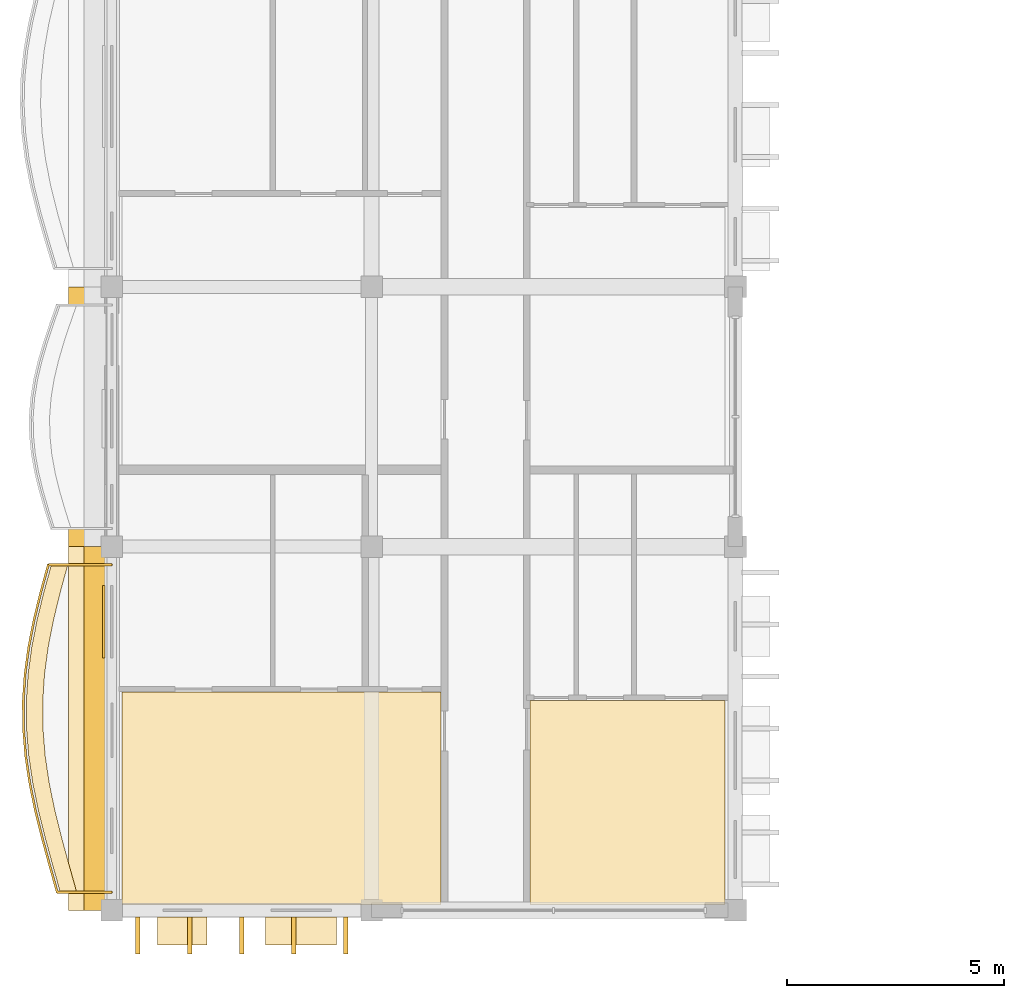
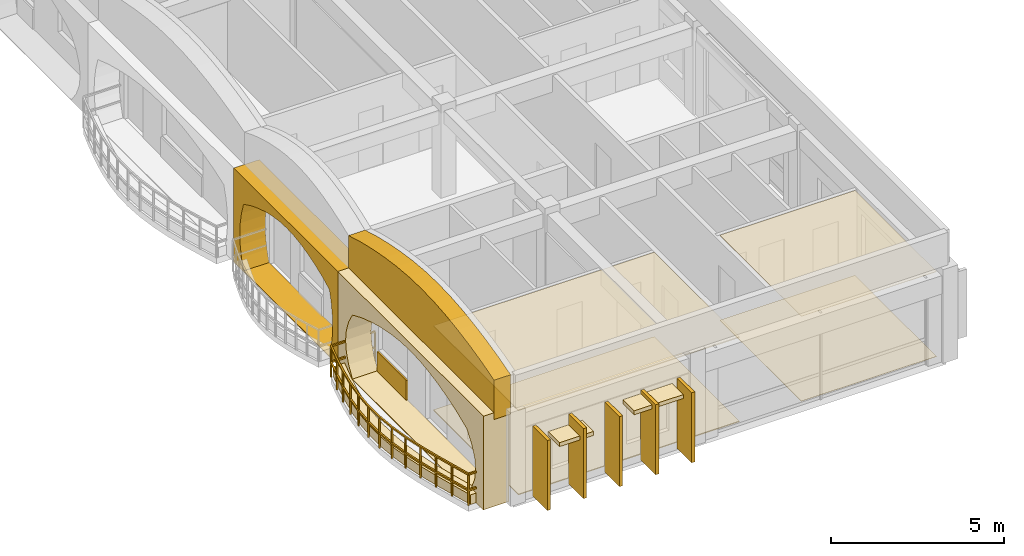
# One storey, part 9 of 12: 16 coverings, 1 railing.
"""IFC4 building model written with IfcOpenShell, lengths in metres."""

import ifcopenshell
import ifcopenshell.guid

model = None  # the IFC model being written
_history = None  # IfcOwnerHistory: only IFC2X3 demands one
_inside = {}  # id of a spatial element -> (the spatial element, [elements in it])
_under = {}  # id of a project, library or spatial element -> (it, [spatial elements below it])
_declared = {}  # id of a project -> (the project, [libraries it declares])
_typed = {}  # id of a type object -> (the type object, [elements of that type])
_made_of = {}  # id of a material, layer set ... -> (it, [elements and type objects made of it])


def new_model(schema):
    """Start an empty IFC model of exactly this schema.

    Asked for "IFC4X3", IfcOpenShell would pick the latest addendum, in which some entities
    have other attributes; the version numbers below select the first issue.
    IFC2X3 requires an IfcOwnerHistory on every rooted entity: one is made here for all.
    """
    global model, _history
    if schema == "IFC4X3":
        model = ifcopenshell.file(schema_version=(4, 3, 0, 0))
    else:
        model = ifcopenshell.file(schema=schema)
    _inside.clear()
    _under.clear()
    _declared.clear()
    _typed.clear()
    _made_of.clear()
    _history = None
    if model.schema == "IFC2X3":
        org = make("IfcOrganization", Name="unknown")
        user = make(
            "IfcPersonAndOrganization",
            ThePerson=make("IfcPerson", FamilyName="unknown"),
            TheOrganization=org,
        )
        app = make(
            "IfcApplication",
            ApplicationDeveloper=org,
            Version="unknown",
            ApplicationFullName="unknown",
            ApplicationIdentifier="unknown",
        )
        _history = make(
            "IfcOwnerHistory",
            OwningUser=user,
            OwningApplication=app,
            ChangeAction="ADDED",
            CreationDate=0,
        )
    return model


def make(cls, **values):
    """One entity of the class cls with the attributes given. An attribute that is None is left unset."""
    return model.create_entity(
        cls, **{name: value for name, value in values.items() if value is not None}
    )


def rooted(cls, **values):
    """An entity with a GlobalId (a new one), such as an element, a storey or a relation."""
    return make(cls, GlobalId=ifcopenshell.guid.new(), OwnerHistory=_history, **values)


def si_unit(unit_type, name, prefix=None):
    """IfcSIUnit, for example si_unit("LENGTHUNIT", "METRE", prefix="MILLI")."""
    return make("IfcSIUnit", UnitType=unit_type, Prefix=prefix, Name=name)


def assignment(units):
    """IfcUnitAssignment: the units of a project."""
    return None if units is None else make("IfcUnitAssignment", Units=units)


def point(xyz):
    """IfcCartesianPoint."""
    return None if xyz is None else make("IfcCartesianPoint", Coordinates=xyz)


def direction(xyz):
    """IfcDirection."""
    return None if xyz is None else make("IfcDirection", DirectionRatios=xyz)


def frame(location, z_axis=None, x_axis=None):
    """IfcAxis2Placement3D, a coordinate frame: its origin and axes. An axis left out is left unset."""
    return make(
        "IfcAxis2Placement3D",
        Location=point(location),
        Axis=direction(z_axis),
        RefDirection=direction(x_axis),
    )


def frame_2d(location, x_axis=None):
    """IfcAxis2Placement2D, a coordinate frame in the plane: its origin and x axis."""
    return make(
        "IfcAxis2Placement2D", Location=point(location), RefDirection=direction(x_axis)
    )


def origin():
    """The frame at (0, 0, 0) with its axes left unset."""
    return frame((0.0, 0.0, 0.0))


def origin_2d():
    """The frame at (0, 0) in the plane with its x axis left unset."""
    return frame_2d((0.0, 0.0))


def place(relative_to, where):
    """IfcLocalPlacement: puts the frame where relative to a parent placement (None: the world)."""
    return make(
        "IfcLocalPlacement", PlacementRelTo=relative_to, RelativePlacement=where
    )


def context(
    kind, dimensions, precision=None, world=None, true_north=None, identifier=None
):
    """IfcGeometricRepresentationContext, for example the 3D "Model" context."""
    return make(
        "IfcGeometricRepresentationContext",
        ContextIdentifier=identifier,
        ContextType=kind,
        CoordinateSpaceDimension=dimensions,
        Precision=precision,
        WorldCoordinateSystem=world,
        TrueNorth=true_north,
    )


def subcontext(parent, identifier, kind, view, scale=None):
    """IfcGeometricRepresentationSubContext, for example "Body" below "Model"."""
    return make(
        "IfcGeometricRepresentationSubContext",
        ContextIdentifier=identifier,
        ContextType=kind,
        ParentContext=parent,
        TargetScale=scale,
        TargetView=view,
    )


def project(units=None, contexts=None):
    """IfcProject with its units and contexts."""
    return rooted(
        "IfcProject",
        Name="project",
        RepresentationContexts=contexts,
        UnitsInContext=assignment(units),
    )


def spatial(cls, under=None, at=None, **own):
    """A site, building, storey or space (cls), placed at a placement, below another one or the project."""
    s = rooted(cls, ObjectPlacement=at, **own)
    if under is not None:
        _under.setdefault(under.id(), (under, []))[1].append(s)
    return s


def polyline(points):
    """IfcPolyline through the points."""
    return make("IfcPolyline", Points=[point(p) for p in points])


def profile(cls, at=None, kind="AREA", **sizes):
    """A parametric profile (cls). Its sizes go by their IFC names, for example OverallWidth=200.0."""
    return make(cls, ProfileType=kind, Position=at, **sizes)


def rectangle(**sizes):
    """IfcRectangleProfileDef."""
    return profile("IfcRectangleProfileDef", **sizes)


def outline(outer, holes=None, kind="AREA"):
    """IfcArbitraryClosedProfileDef: a profile drawn as a closed curve; with holes, ...WithVoids."""
    if holes is None:
        return make("IfcArbitraryClosedProfileDef", ProfileType=kind, OuterCurve=outer)
    return make(
        "IfcArbitraryProfileDefWithVoids",
        ProfileType=kind,
        OuterCurve=outer,
        InnerCurves=holes,
    )


def extrude(swept, where, along, depth):
    """IfcExtrudedAreaSolid: the profile swept, set in the frame where, extruded along a direction by depth."""
    return make(
        "IfcExtrudedAreaSolid",
        SweptArea=swept,
        Position=where,
        ExtrudedDirection=direction(along),
        Depth=depth,
    )


def shape(context_of_items, identifier, shape_type, items):
    """IfcShapeRepresentation: the items that make up one representation, for example the "Body"."""
    return make(
        "IfcShapeRepresentation",
        ContextOfItems=context_of_items,
        RepresentationIdentifier=identifier,
        RepresentationType=shape_type,
        Items=items,
    )


def material(Name=None, Category=None):
    """IfcMaterial."""
    return make("IfcMaterial", Name=Name, Category=Category)


def layer(
    of_material, thickness, ventilated=None, Name=None, Category=None, Priority=None
):
    """IfcMaterialLayer: one layer of a wall or slab, of a material (None: an air gap)."""
    return make(
        "IfcMaterialLayer",
        Material=of_material,
        LayerThickness=thickness,
        IsVentilated=ventilated,
        Name=Name,
        Category=Category,
        Priority=Priority,
    )


def layer_set(layers, Name=None):
    """IfcMaterialLayerSet."""
    return make("IfcMaterialLayerSet", MaterialLayers=layers, LayerSetName=Name)


def made_of(thing, what):
    """Note that an element or type object is made of a material, layer set ...; save() writes the relation."""
    if what is not None:
        _made_of.setdefault(what.id(), (what, []))[1].append(thing)
    return thing


def type_object(cls, material=None, **own):
    """A type object (cls), such as IfcWallType, which elements share."""
    return made_of(rooted(cls, **own), material)


def element(
    cls,
    number,
    at=None,
    inside=None,
    cuts=None,
    type_object=None,
    material=None,
    context=None,
    identifier="Body",
    shape_type=None,
    held_by="IfcProductDefinitionShape",
    body=None,
    shapes=None,
    **own,
):
    """One element of the class cls, such as IfcWall. Its Tag is "e" and its number.

    at: its placement. inside: the storey or other place that contains it. cuts: it is an
    opening in that element (IfcRelVoidsElement). A single representation is given by context,
    identifier, shape_type and body (its items); several are given by shapes. held_by: the class
    of the entity that holds the representations. save() writes the other relations.
    """
    e = rooted(cls, Tag="e%d" % number, ObjectPlacement=at, **own)
    if body is not None:
        shapes = [shape(context, identifier, shape_type, body)]
    if shapes is not None:
        e.Representation = make(held_by, Representations=shapes)
    if inside is not None:
        _inside.setdefault(inside.id(), (inside, []))[1].append(e)
    if cuts is not None:
        rooted(
            "IfcRelVoidsElement", RelatingBuildingElement=cuts, RelatedOpeningElement=e
        )
    if type_object is not None:
        _typed.setdefault(type_object.id(), (type_object, []))[1].append(e)
    return made_of(e, material)


def aggregate(whole, parts):
    """IfcRelAggregates: a whole, such as a stair, and the parts it consists of."""
    return rooted("IfcRelAggregates", RelatingObject=whole, RelatedObjects=parts)


def save(model, path):
    """Write the relations noted so far, then the file.

    IfcRelAggregates (storeys below a building ...), IfcRelContainedInSpatialStructure (elements
    in a storey), IfcRelDefinesByType, IfcRelAssociatesMaterial and IfcRelDeclares: one each for
    every whole, place, type object, material and project.
    """
    for whole, parts in _under.values():
        aggregate(whole, parts)
    for where, things in _inside.values():
        rooted(
            "IfcRelContainedInSpatialStructure",
            RelatedElements=things,
            RelatingStructure=where,
        )
    for kind, things in _typed.values():
        rooted("IfcRelDefinesByType", RelatedObjects=things, RelatingType=kind)
    for what, things in _made_of.values():
        rooted("IfcRelAssociatesMaterial", RelatedObjects=things, RelatingMaterial=what)
    for by, libraries in _declared.values():
        rooted("IfcRelDeclares", RelatingContext=by, RelatedDefinitions=libraries)
    model.write(path)


model = new_model("IFC4")

# Units and contexts
model_context = context("Model", 3, precision=1e-05, world=origin(), true_north=direction((0.0, 1.0)))
body_context = subcontext(model_context, "Body", "Model", "MODEL_VIEW")
ifc_project = project(units=[si_unit("LENGTHUNIT", "METRE"), si_unit("AREAUNIT", "SQUARE_METRE"), si_unit("VOLUMEUNIT", "CUBIC_METRE"), si_unit("PLANEANGLEUNIT", "RADIAN"), si_unit("MASSUNIT", "GRAM", prefix="KILO"), si_unit("THERMODYNAMICTEMPERATUREUNIT", "KELVIN")], contexts=[model_context])

# Site, building, storey
site_placement = place(None, origin())
site = spatial("IfcSite", under=ifc_project, at=site_placement, CompositionType="ELEMENT")
building_placement = place(site_placement, origin())
building = spatial("IfcBuilding", under=site, at=building_placement, Name="Thalorik Housing Commons", CompositionType="ELEMENT")
storey_placement = place(building_placement, frame((0.0, 0.0, 51.0)))
storey = spatial("IfcBuildingStorey", under=building, at=storey_placement, Name="L15", CompositionType="ELEMENT", Elevation=51.0)

# Coverings
ifc_material_1 = material(Name="Precast concrete C40/50", Category="concrete")
ifc_layer_1 = layer(ifc_material_1, 0.85009765625, Name="Precast concrete C40/50", Category="concrete")
ifc_layer_set_1 = layer_set([ifc_layer_1], Name="Precast concrete C40/50")
covering_type_1 = type_object("IfcCoveringType", Name="ARC-CLD-CUSH-850", PredefinedType="CLADDING", material=ifc_layer_set_1)
covering_1_placement = place(storey_placement, frame((7.822509765625, 97.800048828125, 0.0), z_axis=(0.0, 0.0, 1.0), x_axis=(0.0, -1.0, 0.0)))
element("IfcCovering", 1, at=covering_1_placement, inside=storey, type_object=covering_type_1, Name="L15 White Precast Curved Cushion Bay Frame 1434", PredefinedType="CLADDING", context=body_context, shape_type="SweptSolid", body=[
    extrude(outline(polyline([(-3.0, 0.0), (3.0, 0.0), (3.0, 3.300048828125), (-3.0, 3.300048828125), (-3.0, 0.0)]), holes=[polyline([(2.52001953125, 0.02490234375), (2.621337890625, 0.415771484375), (2.68212890625, 0.806640625), (2.702392578125, 1.197509765625), (2.68212890625, 1.58837890625), (2.621337890625, 1.979248046875), (2.52001953125, 2.3701171875), (2.107421875, 2.573974609375), (1.695068359375, 2.734130859375), (1.282470703125, 2.864013671875), (0.8701171875, 2.960205078125), (0.45751953125, 3.02001953125), (0.044921875, 3.0400390625), (-0.367431640625, 3.02001953125), (-0.780029296875, 2.960205078125), (-1.1923828125, 2.864013671875), (-1.60498046875, 2.734130859375), (-2.017578125, 2.573974609375), (-2.429931640625, 2.3701171875), (-2.55029296875, 1.979248046875), (-2.62255859375, 1.58837890625), (-2.646484375, 1.197509765625), (-2.62255859375, 0.806640625), (-2.55029296875, 0.415771484375), (-2.429931640625, 0.02490234375), (2.52001953125, 0.02490234375)])]), frame((0.0, 0.425048828125, 0.0), z_axis=(0.0, -1.0, 0.0), x_axis=(1.0, 0.0, 0.0)), (0.0, 0.0, 1.0), 0.85009765625),
])
covering_2_placement = place(storey_placement, frame((7.822509765625, 90.60009765625, 0.0), z_axis=(0.0, 0.0, 1.0), x_axis=(0.0, -1.0, 0.0)))
element("IfcCovering", 2, at=covering_2_placement, inside=storey, type_object=covering_type_1, Name="L15 White Precast Curved Cushion Bay Frame 1436", PredefinedType="CLADDING", context=body_context, shape_type="SweptSolid", body=[
    extrude(outline(polyline([(-4.199951171875, 0.0), (4.199951171875, 0.0), (4.199951171875, 3.300048828125), (-4.199951171875, 3.300048828125), (-4.199951171875, 0.0)]), holes=[polyline([(3.239990234375, 0.02490234375), (3.523193359375, 0.40087890625), (3.693359375, 0.776611328125), (3.75, 1.152587890625), (3.693359375, 1.5283203125), (3.523193359375, 1.904296875), (3.239990234375, 2.280029296875), (2.690673828125, 2.51123046875), (2.141357421875, 2.693115234375), (1.591796875, 2.840087890625), (1.04248046875, 2.94970703125), (0.4931640625, 3.01708984375), (-0.05615234375, 3.0400390625), (-0.605712890625, 3.01708984375), (-1.155029296875, 2.94970703125), (-1.704345703125, 2.840087890625), (-2.25390625, 2.693115234375), (-2.802978515625, 2.51123046875), (-3.3525390625, 2.280029296875), (-3.5732421875, 1.904296875), (-3.705810546875, 1.5283203125), (-3.75, 1.152587890625), (-3.705810546875, 0.776611328125), (-3.5732421875, 0.40087890625), (-3.3525390625, 0.02490234375), (3.239990234375, 0.02490234375)])]), frame((0.0, 0.425048828125, 0.0), z_axis=(0.0, -1.0, 0.0), x_axis=(1.0, 0.0, 0.0)), (0.0, 0.0, 1.0), 0.85009765625),
])
ifc_layer_2 = layer(ifc_material_1, 0.85009765625, Name="Precast concrete C40/50", Category="concrete")
ifc_layer_set_2 = layer_set([ifc_layer_2], Name="Precast concrete C40/50")
covering_type_2 = type_object("IfcCoveringType", Name="ARC-CLD-FIN-850", PredefinedType="CLADDING", material=ifc_layer_set_2)
for number, where, z_axis, x_axis, name in (
    (3, (9.0, 85.822509765625, 0.0400390625), (0.0, 0.0, 1.0), (1.0, 0.0, 0.0), "L15 Courtyard Precast Vertical Brise-Soleil Fin 1438"),
    (4, (10.199951171875, 85.822509765625, 0.0400390625), (0.0, 0.0, 1.0), (1.0, 0.0, 0.0), "L15 Courtyard Precast Vertical Brise-Soleil Fin 1439"),
    (5, (11.39990234375, 85.822509765625, 0.0400390625), (0.0, 0.0, 1.0), (1.0, 0.0, 0.0), "L15 Courtyard Precast Vertical Brise-Soleil Fin 1440"),
    (6, (12.60009765625, 85.822509765625, 0.0400390625), (0.0, 0.0, 1.0), (1.0, 0.0, 0.0), "L15 Courtyard Precast Vertical Brise-Soleil Fin 1441"),
    (7, (13.800048828125, 85.822509765625, 0.0400390625), (0.0, 0.0, 1.0), (1.0, 0.0, 0.0), "L15 Courtyard Precast Vertical Brise-Soleil Fin 1442"),
):
    element("IfcCovering", number, at=place(storey_placement, frame(where, z_axis=z_axis, x_axis=x_axis)), inside=storey, type_object=covering_type_2, Name=name, PredefinedType="CLADDING", context=body_context, shape_type="SweptSolid", body=[
        extrude(rectangle(XDim=0.110107421875, YDim=0.85009765625, at=origin_2d()), origin(), (0.0, 0.0, 1.0), 2.465087890625),
    ])
ifc_layer_3 = layer(ifc_material_1, 0.64990234375, Name="Precast concrete C40/50", Category="concrete")
ifc_layer_set_3 = layer_set([ifc_layer_3], Name="Precast concrete C40/50")
covering_type_3 = type_object("IfcCoveringType", Name="ARC-CLD-HOOD-650", PredefinedType="CLADDING", material=ifc_layer_set_3)
covering_3_placement = place(storey_placement, frame((10.030029296875, 85.922607421875, 1.990234375), z_axis=(0.0, 0.0, 1.0), x_axis=(1.0, 0.0, 0.0)))
element("IfcCovering", 8, at=covering_3_placement, inside=storey, type_object=covering_type_3, Name="L15 Courtyard Precast Window Sun-Hood 1443", PredefinedType="CLADDING", context=body_context, shape_type="SweptSolid", body=[
    extrude(rectangle(XDim=1.139892578125, YDim=0.64990234375, at=origin_2d()), origin(), (0.0, 0.0, 1.0), 0.139892578125),
])
covering_4_placement = place(storey_placement, frame((12.77001953125, 85.922607421875, 2.240234375), z_axis=(0.0, 0.0, 1.0), x_axis=(1.0, 0.0, 0.0)))
element("IfcCovering", 9, at=covering_4_placement, inside=storey, type_object=covering_type_3, Name="L15 Courtyard Precast Window Sun-Hood 1444", PredefinedType="CLADDING", context=body_context, shape_type="SweptSolid", body=[
    extrude(rectangle(XDim=1.639892578125, YDim=0.64990234375, at=origin_2d()), origin(), (0.0, 0.0, 1.0), 0.139892578125),
])
ifc_layer_4 = layer(ifc_material_1, 0.550048828125, Name="Precast concrete C40/50", Category="concrete")
ifc_layer_set_4 = layer_set([ifc_layer_4], Name="Precast concrete C40/50")
covering_type_4 = type_object("IfcCoveringType", Name="ARC-CLD-PAR-550", PredefinedType="CLADDING", material=ifc_layer_set_4)
covering_5_placement = place(storey_placement, frame((8.027587890625, 90.60009765625, 3.06005859375), z_axis=(0.0, 0.0, 1.0), x_axis=(0.0, -1.0, 0.0)))
element("IfcCovering", 10, at=covering_5_placement, inside=storey, type_object=covering_type_4, Name="L15 Block A Scalloped White Precast Parapet Crest 1473", PredefinedType="CLADDING", context=body_context, shape_type="SweptSolid", body=[
    extrude(outline(polyline([(-4.199951171875, 0.0), (4.199951171875, 0.0), (4.199951171875, 1.3798828125), (3.5, 1.58154296875), (2.800048828125, 1.744384765625), (2.10009765625, 1.877685546875), (1.39990234375, 1.977294921875), (0.699951171875, 2.0390625), (0.0, 2.06005859375), (-0.699951171875, 2.0390625), (-1.39990234375, 1.977294921875), (-2.10009765625, 1.877685546875), (-2.800048828125, 1.744384765625), (-3.5, 1.58154296875), (-4.199951171875, 1.3798828125), (-4.199951171875, 0.0)])), frame((0.0, 0.27490234375, 0.0), z_axis=(0.0, -1.0, 0.0), x_axis=(1.0, 0.0, 0.0)), (0.0, 0.0, 1.0), 0.550048828125),
])
ifc_material_2 = material(Name="Terracotta red mineral fibre-cement panel", Category="masonry")
ifc_layer_5 = layer(ifc_material_2, 0.054931640625, Name="Terracotta red mineral fibre-cement panel", Category="masonry")
ifc_layer_set_5 = layer_set([ifc_layer_5], Name="Terracotta red mineral fibre-cement panel")
covering_type_5 = type_object("IfcCoveringType", Name="ARC-CLD-RED-55", PredefinedType="CLADDING", material=ifc_layer_set_5)
covering_6_placement = place(storey_placement, frame((8.215087890625, 93.0625, 0.0498046875), z_axis=(0.0, 0.0, 1.0), x_axis=(0.0, -1.0, 0.0)))
element("IfcCovering", 11, at=covering_6_placement, inside=storey, type_object=covering_type_5, Name="L15 De Stijl Recessed Window Spandrel 1437", PredefinedType="CLADDING", context=body_context, shape_type="SweptSolid", body=[
    extrude(rectangle(XDim=1.679931640625, YDim=0.054931640625, at=origin_2d()), origin(), (0.0, 0.0, 1.0), 0.699951171875),
])
ifc_material_3 = material(Name="Perforated acoustic gypsum ceiling board")
ifc_layer_6 = layer(ifc_material_3, 0.014892578125, Name="Perforated acoustic gypsum ceiling board")
ifc_layer_set_6 = layer_set([ifc_layer_6], Name="Perforated acoustic gypsum ceiling board")
covering_type_6 = type_object("IfcCoveringType", Name="ARC-COV-CEIL-01", PredefinedType="CEILING", material=ifc_layer_set_6)
covering_7_placement = place(storey_placement, frame((0.0, 0.0, 2.985107421875)))
element("IfcCovering", 12, at=covering_7_placement, inside=storey, type_object=covering_type_6, Name="L15 Family Lounge Suspended Ceiling", PredefinedType="CEILING", context=body_context, shape_type="SweptSolid", body=[
    extrude(outline(polyline([(22.56005859375, 91.242919921875), (18.06005859375, 91.242919921875), (18.06005859375, 86.5400390625), (22.56005859375, 86.5400390625), (22.56005859375, 91.242919921875)])), origin(), (0.0, 0.0, 1.0), 0.014892578125),
])
ifc_material_4 = material(Name="Acoustic wood-wool nursery ceiling panel", Category="wood")
ifc_layer_7 = layer(ifc_material_4, 0.035888671875, Name="Acoustic wood-wool nursery ceiling panel", Category="wood")
ifc_layer_set_7 = layer_set([ifc_layer_7], Name="Acoustic wood-wool nursery ceiling panel")
covering_type_7 = type_object("IfcCoveringType", Name="ARC-COV-CEIL-06", PredefinedType="CEILING", material=ifc_layer_set_7)
covering_8_placement = place(storey_placement, frame((0.0, 0.0, 2.964111328125)))
element("IfcCovering", 13, at=covering_8_placement, inside=storey, type_object=covering_type_7, Name="L15 Living Dining Room Suspended Ceiling", PredefinedType="CEILING", context=body_context, shape_type="SweptSolid", body=[
    extrude(outline(polyline([(16.0, 91.445068359375), (8.639892578125, 91.445068359375), (8.639892578125, 86.5400390625), (16.0, 86.5400390625), (16.0, 91.445068359375)])), origin(), (0.0, 0.0, 1.0), 0.035888671875),
])
ifc_material_5 = material(Name="Glazed Recife ceramic apartment floor tile")
ifc_layer_8 = layer(ifc_material_5, 0.011962890625, Name="Glazed Recife ceramic apartment floor tile")
ifc_layer_set_8 = layer_set([ifc_layer_8], Name="Glazed Recife ceramic apartment floor tile")
covering_type_8 = type_object("IfcCoveringType", Name="ARC-COV-FLR-01", PredefinedType="FLOORING", material=ifc_layer_set_8)
covering_9_placement = place(storey_placement, origin())
element("IfcCovering", 14, at=covering_9_placement, inside=storey, type_object=covering_type_8, Name="L15 Family Lounge Flooring", PredefinedType="FLOORING", context=body_context, shape_type="SweptSolid", body=[
    extrude(outline(polyline([(22.56005859375, 91.242919921875), (18.06005859375, 91.242919921875), (18.06005859375, 86.5400390625), (22.56005859375, 86.5400390625), (22.56005859375, 91.242919921875)])), origin(), (0.0, 0.0, 1.0), 0.011962890625),
])
ifc_material_6 = material(Name="Epoxy-sealed concrete plant and bicycle hub finish", Category="concrete")
ifc_layer_9 = layer(ifc_material_6, 0.031982421875, Name="Epoxy-sealed concrete plant and bicycle hub finish", Category="concrete")
ifc_layer_set_9 = layer_set([ifc_layer_9], Name="Epoxy-sealed concrete plant and bicycle hub finish")
covering_type_9 = type_object("IfcCoveringType", Name="ARC-COV-FLR-06", PredefinedType="FLOORING", material=ifc_layer_set_9)
covering_10_placement = place(storey_placement, origin())
element("IfcCovering", 15, at=covering_10_placement, inside=storey, type_object=covering_type_9, Name="L15 Living Dining Room Flooring", PredefinedType="FLOORING", context=body_context, shape_type="SweptSolid", body=[
    extrude(outline(polyline([(16.0, 91.445068359375), (8.639892578125, 91.445068359375), (8.639892578125, 86.5400390625), (16.0, 86.5400390625), (16.0, 91.445068359375)])), origin(), (0.0, 0.0, 1.0), 0.031982421875),
])
ifc_material_7 = material(Name="Planted vegetated substrate and terracotta trough", Category="masonry")
ifc_layer_10 = layer(ifc_material_7, 0.340087890625, Name="Planted vegetated substrate and terracotta trough", Category="masonry")
ifc_layer_set_10 = layer_set([ifc_layer_10], Name="Planted vegetated substrate and terracotta trough")
covering_type_10 = type_object("IfcCoveringType", Name="ARC-COV-PLANTER", PredefinedType="USERDEFINED", material=ifc_layer_set_10)
covering_11_placement = place(storey_placement, origin())
element("IfcCovering", 16, at=covering_11_placement, inside=storey, type_object=covering_type_10, Name="L15 Balcony Slab-Edge Planted Trough 5414", ObjectType="PLANTER", PredefinedType="USERDEFINED", context=body_context, shape_type="SweptSolid", body=[
    extrude(outline(polyline([(7.0029296875, 94.3798828125), (6.829833984375, 93.75), (6.67626953125, 93.1201171875), (6.55224609375, 92.489990234375), (6.46630859375, 91.860107421875), (6.424560546875, 91.22998046875), (6.429443359375, 90.60009765625), (6.480712890625, 89.969970703125), (6.57421875, 89.340087890625), (6.70361328125, 88.7099609375), (6.85986328125, 88.080078125), (7.031982421875, 87.449951171875), (7.20849609375, 86.820068359375), (7.58837890625, 86.820068359375), (7.412109375, 87.449951171875), (7.23974609375, 88.080078125), (7.08349609375, 88.7099609375), (6.9541015625, 89.340087890625), (6.860595703125, 89.969970703125), (6.8095703125, 90.60009765625), (6.8046875, 91.22998046875), (6.846435546875, 91.860107421875), (6.93212890625, 92.489990234375), (7.05615234375, 93.1201171875), (7.2099609375, 93.75), (7.3828125, 94.3798828125), (7.0029296875, 94.3798828125)])), origin(), (0.0, 0.0, 1.0), 0.340087890625),
])

# Railing
ifc_material_8 = material(Name="Steel S355", Category="steel")
railing_type = type_object("IfcRailingType", Name="ARC-RL-BAL-112", PredefinedType="BALUSTRADE", material=ifc_material_8)
railing_placement = place(storey_placement, frame((8.39990234375, 94.3798828125, 0.0)))
element("IfcRailing", 17, at=railing_placement, inside=storey, type_object=railing_type, Name="L15 Cushion Balcony Guardrail 98", PredefinedType="BALUSTRADE", context=body_context, shape_type="SweptSolid", body=[
    extrude(rectangle(XDim=0.050048828125, YDim=0.050048828125, at=origin_2d()), frame((0.0, 0.0, 1.09521484375), z_axis=(-1.0, 0.0, 0.0), x_axis=(0.0, -1.0, 0.0)), (0.0, 0.0, 1.0), 1.467041015625),
    extrude(rectangle(XDim=0.050048828125, YDim=0.050048828125, at=origin_2d()), frame((0.0, 0.0, 0.53515625), z_axis=(-1.0, 0.0, 0.0), x_axis=(0.0, -1.0, 0.0)), (0.0, 0.0, 1.0), 1.467041015625),
    extrude(rectangle(XDim=0.050048828125, YDim=0.050048828125, at=origin_2d()), frame((-1.467041015625, 0.0, 1.09521484375), z_axis=(-0.264635195896, -0.964348595215, 0.0), x_axis=(0.964348595215, -0.264635195896, 0.0)), (0.0, 0.0, 1.0), 0.653076171875),
    extrude(rectangle(XDim=0.050048828125, YDim=0.050048828125, at=origin_2d()), frame((-1.467041015625, 0.0, 0.53515625), z_axis=(-0.264635195896, -0.964348595215, 0.0), x_axis=(0.964348595215, -0.264635195896, 0.0)), (0.0, 0.0, 1.0), 0.653076171875),
    extrude(rectangle(XDim=0.050048828125, YDim=0.050048828125, at=origin_2d()), frame((-1.639892578125, -0.6298828125, 1.09521484375), z_axis=(-0.237216214611, -0.971456878881, 0.0), x_axis=(0.971456878881, -0.237216214611, 0.0)), (0.0, 0.0, 1.0), 0.6484375),
    extrude(rectangle(XDim=0.050048828125, YDim=0.050048828125, at=origin_2d()), frame((-1.639892578125, -0.6298828125, 0.53515625), z_axis=(-0.237216214611, -0.971456878881, 0.0), x_axis=(0.971456878881, -0.237216214611, 0.0)), (0.0, 0.0, 1.0), 0.6484375),
    extrude(rectangle(XDim=0.050048828125, YDim=0.050048828125, at=origin_2d()), frame((-1.793701171875, -1.259765625, 1.09521484375), z_axis=(-0.193117856674, -0.981175567079, 0.0), x_axis=(0.981175567079, -0.193117856674, 0.0)), (0.0, 0.0, 1.0), 0.642333984375),
    extrude(rectangle(XDim=0.050048828125, YDim=0.050048828125, at=origin_2d()), frame((-1.793701171875, -1.259765625, 0.53515625), z_axis=(-0.193117856674, -0.981175567079, 0.0), x_axis=(0.981175567079, -0.193117856674, 0.0)), (0.0, 0.0, 1.0), 0.642333984375),
    extrude(rectangle(XDim=0.050048828125, YDim=0.050048828125, at=origin_2d()), frame((-1.917724609375, -1.889892578125, 1.09521484375), z_axis=(-0.134804704556, -0.990872187333, 0.0), x_axis=(0.990872187333, -0.134804704556, 0.0)), (0.0, 0.0, 1.0), 0.6357421875),
    extrude(rectangle(XDim=0.050048828125, YDim=0.050048828125, at=origin_2d()), frame((-1.917724609375, -1.889892578125, 0.53515625), z_axis=(-0.134804704556, -0.990872187333, 0.0), x_axis=(0.990872187333, -0.134804704556, 0.0)), (0.0, 0.0, 1.0), 0.6357421875),
    extrude(rectangle(XDim=0.050048828125, YDim=0.050048828125, at=origin_2d()), frame((-2.00341796875, -2.519775390625, 1.09521484375), z_axis=(-0.066493351923, -0.997786868099, 0.0), x_axis=(0.997786868099, -0.066493351923, 0.0)), (0.0, 0.0, 1.0), 0.631591796875),
    extrude(rectangle(XDim=0.050048828125, YDim=0.050048828125, at=origin_2d()), frame((-2.00341796875, -2.519775390625, 0.53515625), z_axis=(-0.066493351923, -0.997786868099, 0.0), x_axis=(0.997786868099, -0.066493351923, 0.0)), (0.0, 0.0, 1.0), 0.631591796875),
    extrude(rectangle(XDim=0.050048828125, YDim=0.050048828125, at=origin_2d()), frame((-2.04541015625, -3.14990234375, 1.09521484375), z_axis=(0.008139265267, -0.999966875632, 0.0), x_axis=(0.999966875632, 0.008139265267, 0.0)), (0.0, 0.0, 1.0), 0.6298828125),
    extrude(rectangle(XDim=0.050048828125, YDim=0.050048828125, at=origin_2d()), frame((-2.04541015625, -3.14990234375, 0.53515625), z_axis=(0.008139265267, -0.999966875632, 0.0), x_axis=(0.999966875632, 0.008139265267, 0.0)), (0.0, 0.0, 1.0), 0.6298828125),
    extrude(rectangle(XDim=0.050048828125, YDim=0.050048828125, at=origin_2d()), frame((-2.040283203125, -3.77978515625, 1.09521484375), z_axis=(0.080712176322, -0.996737450181, 0.0), x_axis=(0.996737450181, 0.080712176322, 0.0)), (0.0, 0.0, 1.0), 0.632080078125),
    extrude(rectangle(XDim=0.050048828125, YDim=0.050048828125, at=origin_2d()), frame((-2.040283203125, -3.77978515625, 0.53515625), z_axis=(0.080712176322, -0.996737450181, 0.0), x_axis=(0.996737450181, 0.080712176322, 0.0)), (0.0, 0.0, 1.0), 0.632080078125),
    extrude(rectangle(XDim=0.050048828125, YDim=0.050048828125, at=origin_2d()), frame((-1.9892578125, -4.409912109375, 1.09521484375), z_axis=(0.146840446935, -0.989160190841, 0.0), x_axis=(0.989160190841, 0.146840446935, 0.0)), (0.0, 0.0, 1.0), 0.63671875),
    extrude(rectangle(XDim=0.050048828125, YDim=0.050048828125, at=origin_2d()), frame((-1.9892578125, -4.409912109375, 0.53515625), z_axis=(0.146840446935, -0.989160190841, 0.0), x_axis=(0.989160190841, 0.146840446935, 0.0)), (0.0, 0.0, 1.0), 0.63671875),
    extrude(rectangle(XDim=0.050048828125, YDim=0.050048828125, at=origin_2d()), frame((-1.895751953125, -5.039794921875, 1.09521484375), z_axis=(0.201149587008, -0.979560535978, 0.0), x_axis=(0.979560535978, 0.201149587008, 0.0)), (0.0, 0.0, 1.0), 0.643310546875),
    extrude(rectangle(XDim=0.050048828125, YDim=0.050048828125, at=origin_2d()), frame((-1.895751953125, -5.039794921875, 0.53515625), z_axis=(0.201149587008, -0.979560535978, 0.0), x_axis=(0.979560535978, 0.201149587008, 0.0)), (0.0, 0.0, 1.0), 0.643310546875),
    extrude(rectangle(XDim=0.050048828125, YDim=0.050048828125, at=origin_2d()), frame((-1.766357421875, -5.669921875, 1.09521484375), z_axis=(0.240764891139, -0.970583467402, 0.0), x_axis=(0.970583467402, 0.240764891139, 0.0)), (0.0, 0.0, 1.0), 0.64892578125),
    extrude(rectangle(XDim=0.050048828125, YDim=0.050048828125, at=origin_2d()), frame((-1.766357421875, -5.669921875, 0.53515625), z_axis=(0.240764891139, -0.970583467402, 0.0), x_axis=(0.970583467402, 0.240764891139, 0.0)), (0.0, 0.0, 1.0), 0.64892578125),
    extrude(rectangle(XDim=0.050048828125, YDim=0.050048828125, at=origin_2d()), frame((-1.610107421875, -6.2998046875, 1.09521484375), z_axis=(0.263844643016, -0.96456518927, 0.0), x_axis=(0.96456518927, 0.263844643016, 0.0)), (0.0, 0.0, 1.0), 0.6533203125),
    extrude(rectangle(XDim=0.050048828125, YDim=0.050048828125, at=origin_2d()), frame((-1.610107421875, -6.2998046875, 0.53515625), z_axis=(0.263844643016, -0.96456518927, 0.0), x_axis=(0.96456518927, 0.263844643016, 0.0)), (0.0, 0.0, 1.0), 0.6533203125),
    extrude(rectangle(XDim=0.050048828125, YDim=0.050048828125, at=origin_2d()), frame((-1.437744140625, -6.929931640625, 1.09521484375), z_axis=(0.269491474332, -0.963002775314, 0.0), x_axis=(0.963002775314, 0.269491474332, 0.0)), (0.0, 0.0, 1.0), 0.654052734375),
    extrude(rectangle(XDim=0.050048828125, YDim=0.050048828125, at=origin_2d()), frame((-1.437744140625, -6.929931640625, 0.53515625), z_axis=(0.269491474332, -0.963002775314, 0.0), x_axis=(0.963002775314, 0.269491474332, 0.0)), (0.0, 0.0, 1.0), 0.654052734375),
    extrude(rectangle(XDim=0.050048828125, YDim=0.050048828125, at=origin_2d()), frame((-1.261474609375, -7.559814453125, 1.09521484375), z_axis=(1.0, 0.0, 0.0), x_axis=(0.0, 1.0, 0.0)), (0.0, 0.0, 1.0), 1.261474609375),
    extrude(rectangle(XDim=0.050048828125, YDim=0.050048828125, at=origin_2d()), frame((-1.261474609375, -7.559814453125, 0.53515625), z_axis=(1.0, 0.0, 0.0), x_axis=(0.0, 1.0, 0.0)), (0.0, 0.0, 1.0), 1.261474609375),
    extrude(rectangle(XDim=0.0419921875, YDim=0.0419921875, at=origin_2d()), origin(), (0.0, 0.0, 1.0), 1.070068359375),
    extrude(rectangle(XDim=0.0419921875, YDim=0.0419921875, at=origin_2d()), frame((-1.467041015625, 0.0, 0.0)), (0.0, 0.0, 1.0), 1.070068359375),
    extrude(rectangle(XDim=0.0419921875, YDim=0.0419921875, at=origin_2d()), frame((-1.639892578125, -0.6298828125, 0.0)), (0.0, 0.0, 1.0), 1.070068359375),
    extrude(rectangle(XDim=0.0419921875, YDim=0.0419921875, at=origin_2d()), frame((-1.793701171875, -1.259765625, 0.0)), (0.0, 0.0, 1.0), 1.070068359375),
    extrude(rectangle(XDim=0.0419921875, YDim=0.0419921875, at=origin_2d()), frame((-1.917724609375, -1.889892578125, 0.0)), (0.0, 0.0, 1.0), 1.070068359375),
    extrude(rectangle(XDim=0.0419921875, YDim=0.0419921875, at=origin_2d()), frame((-2.00341796875, -2.519775390625, 0.0)), (0.0, 0.0, 1.0), 1.070068359375),
    extrude(rectangle(XDim=0.0419921875, YDim=0.0419921875, at=origin_2d()), frame((-2.04541015625, -3.14990234375, 0.0)), (0.0, 0.0, 1.0), 1.070068359375),
    extrude(rectangle(XDim=0.0419921875, YDim=0.0419921875, at=origin_2d()), frame((-2.040283203125, -3.77978515625, 0.0)), (0.0, 0.0, 1.0), 1.070068359375),
    extrude(rectangle(XDim=0.0419921875, YDim=0.0419921875, at=origin_2d()), frame((-1.9892578125, -4.409912109375, 0.0)), (0.0, 0.0, 1.0), 1.070068359375),
    extrude(rectangle(XDim=0.0419921875, YDim=0.0419921875, at=origin_2d()), frame((-1.895751953125, -5.039794921875, 0.0)), (0.0, 0.0, 1.0), 1.070068359375),
    extrude(rectangle(XDim=0.0419921875, YDim=0.0419921875, at=origin_2d()), frame((-1.766357421875, -5.669921875, 0.0)), (0.0, 0.0, 1.0), 1.070068359375),
    extrude(rectangle(XDim=0.0419921875, YDim=0.0419921875, at=origin_2d()), frame((-1.610107421875, -6.2998046875, 0.0)), (0.0, 0.0, 1.0), 1.070068359375),
    extrude(rectangle(XDim=0.0419921875, YDim=0.0419921875, at=origin_2d()), frame((-1.437744140625, -6.929931640625, 0.0)), (0.0, 0.0, 1.0), 1.070068359375),
    extrude(rectangle(XDim=0.0419921875, YDim=0.0419921875, at=origin_2d()), frame((-1.261474609375, -7.559814453125, 0.0)), (0.0, 0.0, 1.0), 1.070068359375),
    extrude(rectangle(XDim=0.0419921875, YDim=0.0419921875, at=origin_2d()), frame((0.0, -7.559814453125, 0.0)), (0.0, 0.0, 1.0), 1.070068359375),
])

save(model, "model.ifc")
